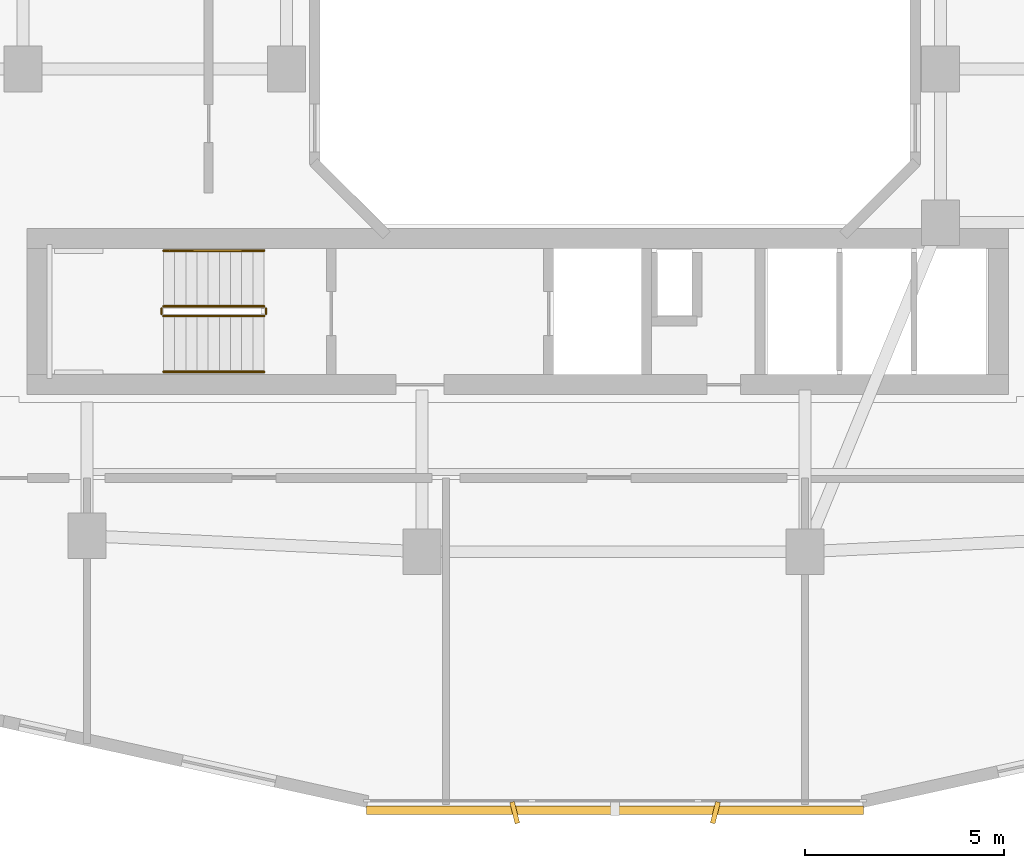
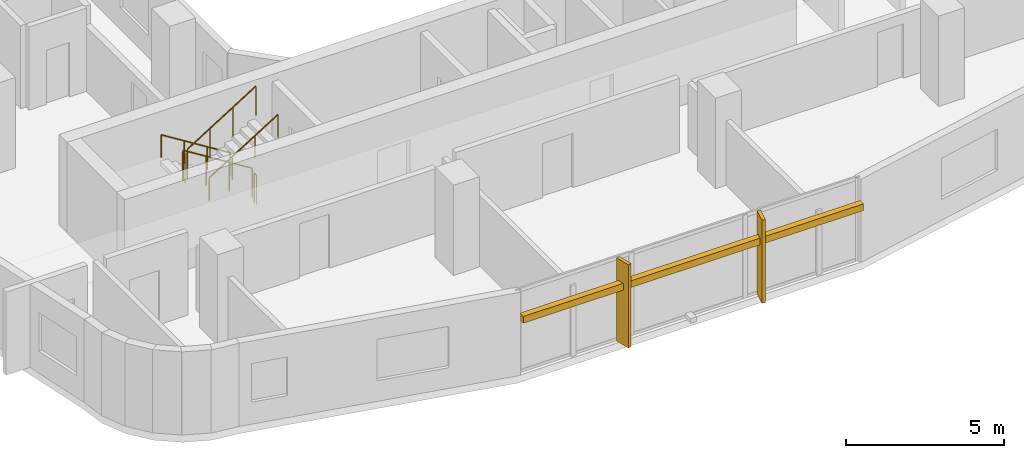
# One storey, part 22 of 26: 6 railings, 3 shading devices.
"""IFC4 building model written with IfcOpenShell, lengths in metres."""

from ifc_helpers import new_model, si_unit, derived_unit, direction, frame, origin, origin_2d, place, context, subcontext, project, spatial, rectangle, circle, extrude, material, type_object, element, save


model = new_model("IFC4")

# Units and contexts
model_context = context("Model", 3, precision=1e-05, world=origin(), true_north=direction((0.0, 1.0)))
body_context = subcontext(model_context, "Body", "Model", "MODEL_VIEW")
ifc_project = project(units=[si_unit("LENGTHUNIT", "METRE"), si_unit("AREAUNIT", "SQUARE_METRE"), si_unit("VOLUMEUNIT", "CUBIC_METRE"), si_unit("PLANEANGLEUNIT", "RADIAN"), si_unit("MASSUNIT", "GRAM", prefix="KILO"), derived_unit("THERMALTRANSMITTANCEUNIT", [(si_unit("POWERUNIT", "WATT"), 1), (si_unit("LENGTHUNIT", "METRE"), -2), (si_unit("THERMODYNAMICTEMPERATUREUNIT", "KELVIN"), -1)])], contexts=[model_context])

# Site, building, storey
site_placement = place(None, origin())
site = spatial("IfcSite", under=ifc_project, at=site_placement, CompositionType="ELEMENT")
building_placement = place(site_placement, origin())
building = spatial("IfcBuilding", under=site, at=building_placement, Name="Kivonza Crest Hotel", CompositionType="ELEMENT")
storey_placement = place(building_placement, frame((0.0, 0.0, 62.5)))
storey = spatial("IfcBuildingStorey", under=building, at=storey_placement, Name="L16", CompositionType="ELEMENT", Elevation=62.5)

# Railings
ifc_material_1 = material(Name="Brushed stainless steel handrail", Category="steel")
railing_type_1 = type_object("IfcRailingType", Name="RL-HAND-900", PredefinedType="HANDRAIL", material=ifc_material_1)
railing_1_placement = place(storey_placement, frame((12.239990234375, 16.949951171875, 0.175048828125)))
element("IfcRailing", 1, at=railing_1_placement, inside=storey, type_object=railing_type_1, Name="L16 ST-T1-S stair handrail 1", PredefinedType="HANDRAIL", context=body_context, shape_type="SweptSolid", body=[
    extrude(circle(Radius=0.02392578125, at=origin_2d()), frame((0.0, 0.0, 0.8759765625), z_axis=(-0.848007534815, 0.0, 0.529984170421), x_axis=(0.0, -1.0, 0.0)), (0.0, 0.0, 1.0), 2.9716796875),
    extrude(circle(Radius=0.02099609375, at=origin_2d()), origin(), (0.0, 0.0, 1.0), 0.851806640625),
    extrude(circle(Radius=0.02099609375, at=origin_2d()), frame((-0.840087890625, 0.0, 0.52490234375)), (0.0, 0.0, 1.0), 0.851806640625),
    extrude(circle(Radius=0.02099609375, at=origin_2d()), frame((-1.679931640625, 0.0, 1.050048828125)), (0.0, 0.0, 1.0), 0.851806640625),
    extrude(circle(Radius=0.02099609375, at=origin_2d()), frame((-2.52001953125, 0.0, 1.574951171875)), (0.0, 0.0, 1.0), 0.851806640625),
])
railing_2_placement = place(storey_placement, frame((9.719970703125, 13.909912109375, 1.925048828125)))
element("IfcRailing", 2, at=railing_2_placement, inside=storey, type_object=railing_type_1, Name="L16 ST-T1-S stair handrail 2", PredefinedType="HANDRAIL", context=body_context, shape_type="SweptSolid", body=[
    extrude(circle(Radius=0.02392578125, at=origin_2d()), frame((0.0, 0.0, 0.8759765625), z_axis=(0.848007534815, 0.0, 0.529984170421), x_axis=(0.0, 1.0, 0.0)), (0.0, 0.0, 1.0), 2.9716796875),
    extrude(circle(Radius=0.02099609375, at=origin_2d()), origin(), (0.0, 0.0, 1.0), 0.851806640625),
    extrude(circle(Radius=0.02099609375, at=origin_2d()), frame((0.840087890625, 0.0, 0.52490234375)), (0.0, 0.0, 1.0), 0.851806640625),
    extrude(circle(Radius=0.02099609375, at=origin_2d()), frame((1.679931640625, 0.0, 1.050048828125)), (0.0, 0.0, 1.0), 0.851806640625),
    extrude(circle(Radius=0.02099609375, at=origin_2d()), frame((2.52001953125, 0.0, 1.574951171875)), (0.0, 0.0, 1.0), 0.851806640625),
])
ifc_material_2 = material(Name="Painted steel balustrade", Category="steel")
railing_type_2 = type_object("IfcRailingType", Name="RL-STAIR-1150", PredefinedType="BALUSTRADE", material=ifc_material_2)
railing_3_placement = place(storey_placement, frame((12.239990234375, 15.550048828125, 0.175048828125)))
element("IfcRailing", 3, at=railing_3_placement, inside=storey, type_object=railing_type_2, Name="L16 ST-T1-S stair guard 1", PredefinedType="BALUSTRADE", context=body_context, shape_type="SweptSolid", body=[
    extrude(circle(Radius=0.02392578125, at=origin_2d()), frame((0.0, 0.0, 1.1259765625), z_axis=(-0.848007534815, 0.0, 0.529984170421), x_axis=(0.0, -1.0, 0.0)), (0.0, 0.0, 1.0), 2.9716796875),
    extrude(circle(Radius=0.02099609375, at=origin_2d()), origin(), (0.0, 0.0, 1.0), 1.101806640625),
    extrude(circle(Radius=0.02099609375, at=origin_2d()), frame((-0.840087890625, 0.0, 0.52490234375)), (0.0, 0.0, 1.0), 1.101806640625),
    extrude(circle(Radius=0.02099609375, at=origin_2d()), frame((-1.679931640625, 0.0, 1.050048828125)), (0.0, 0.0, 1.0), 1.101806640625),
    extrude(circle(Radius=0.02099609375, at=origin_2d()), frame((-2.52001953125, 0.0, 1.574951171875)), (0.0, 0.0, 1.0), 1.101806640625),
])
railing_4_placement = place(storey_placement, frame((9.669921875, 15.5, 1.75)))
element("IfcRailing", 4, at=railing_4_placement, inside=storey, type_object=railing_type_2, Name="L16 ST-T1-S stair guard 2", PredefinedType="BALUSTRADE", context=body_context, shape_type="SweptSolid", body=[
    extrude(circle(Radius=0.02392578125, at=origin_2d()), frame((0.0, 0.0, 1.1259765625), z_axis=(0.0, -1.0, 0.0), x_axis=(1.0, 0.0, 0.0)), (0.0, 0.0, 1.0), 0.139892578125),
    extrude(circle(Radius=0.02099609375, at=origin_2d()), origin(), (0.0, 0.0, 1.0), 1.101806640625),
    extrude(circle(Radius=0.02099609375, at=origin_2d()), frame((0.0, -0.139892578125, 0.0)), (0.0, 0.0, 1.0), 1.101806640625),
])
railing_5_placement = place(storey_placement, frame((9.719970703125, 15.31005859375, 1.925048828125)))
element("IfcRailing", 5, at=railing_5_placement, inside=storey, type_object=railing_type_2, Name="L16 ST-T1-S stair guard 3", PredefinedType="BALUSTRADE", context=body_context, shape_type="SweptSolid", body=[
    extrude(circle(Radius=0.02392578125, at=origin_2d()), frame((0.0, 0.0, 1.1259765625), z_axis=(0.848007534815, 0.0, 0.529984170421), x_axis=(0.0, 1.0, 0.0)), (0.0, 0.0, 1.0), 2.9716796875),
    extrude(circle(Radius=0.02099609375, at=origin_2d()), origin(), (0.0, 0.0, 1.0), 1.101806640625),
    extrude(circle(Radius=0.02099609375, at=origin_2d()), frame((0.840087890625, 0.0, 0.52490234375)), (0.0, 0.0, 1.0), 1.101806640625),
    extrude(circle(Radius=0.02099609375, at=origin_2d()), frame((1.679931640625, 0.0, 1.050048828125)), (0.0, 0.0, 1.0), 1.101806640625),
    extrude(circle(Radius=0.02099609375, at=origin_2d()), frame((2.52001953125, 0.0, 1.574951171875)), (0.0, 0.0, 1.0), 1.101806640625),
])
railing_6_placement = place(storey_placement, frame((12.2900390625, 15.5, 0.0)))
element("IfcRailing", 6, at=railing_6_placement, inside=storey, type_object=railing_type_2, Name="L16 ST-T1-S stair guard 4", PredefinedType="BALUSTRADE", context=body_context, shape_type="SweptSolid", body=[
    extrude(circle(Radius=0.02392578125, at=origin_2d()), frame((0.0, 0.0, 1.1259765625), z_axis=(0.0, -1.0, 0.0), x_axis=(1.0, 0.0, 0.0)), (0.0, 0.0, 1.0), 0.139892578125),
    extrude(circle(Radius=0.02099609375, at=origin_2d()), origin(), (0.0, 0.0, 1.0), 1.101806640625),
    extrude(circle(Radius=0.02099609375, at=origin_2d()), frame((0.0, -0.139892578125, 0.0)), (0.0, 0.0, 1.0), 1.101806640625),
])

# Shading devices
ifc_material_3 = material(Name="Kiln-fired Nairobi red-ochre terracotta", Category="masonry")
shading_device_type_1 = type_object("IfcShadingDeviceType", Name="SH-BAGUETTE-300", PredefinedType="USERDEFINED", material=ifc_material_3)
shading_device_placement = place(storey_placement, frame((21.0400390625, 2.919921875, 2.1240234375), z_axis=(0.0, 0.0, 1.0), x_axis=(1.0, 0.0, 0.0)))
element("IfcShadingDevice", 7, at=shading_device_placement, inside=storey, type_object=shading_device_type_1, Name="L16 terracotta baguette screen CW-T1-L16-08", ObjectType="BAGUETTE", PredefinedType="USERDEFINED", context=body_context, shape_type="SweptSolid", body=[
    extrude(rectangle(XDim=12.4560546875, YDim=0.219970703125, at=origin_2d()), origin(), (0.0, 0.0, 1.0), 0.260009765625),
])
ifc_material_4 = material(Name="Kiln-fired terracotta over extruded aluminium spine", Category="masonry")
shading_device_type_2 = type_object("IfcShadingDeviceType", Name="SH-FIN-550", PredefinedType="USERDEFINED", material=ifc_material_4)
for number, where, z_axis, x_axis, name in (
    (8, (18.52490234375, 2.860107421875, 0.0), (0.0, 0.0, 1.0), (0.970295726276, 0.2419218956, 0.0), "L16 vertical solar shading fin CW-T1-L16-08-1"),
    (9, (23.554931640625, 2.860107421875, 0.0), (0.0, 0.0, 1.0), (0.970295726276, -0.2419218956, 0.0), "L16 vertical solar shading fin CW-T1-L16-08-2"),
):
    element("IfcShadingDevice", number, at=place(storey_placement, frame(where, z_axis=z_axis, x_axis=x_axis)), inside=storey, type_object=shading_device_type_2, Name=name, ObjectType="FIN", PredefinedType="USERDEFINED", context=body_context, shape_type="SweptSolid", body=[
        extrude(rectangle(XDim=0.1201171875, YDim=0.550048828125, at=origin_2d()), origin(), (0.0, 0.0, 1.0), 3.219970703125),
    ])

save(model, "model.ifc")
